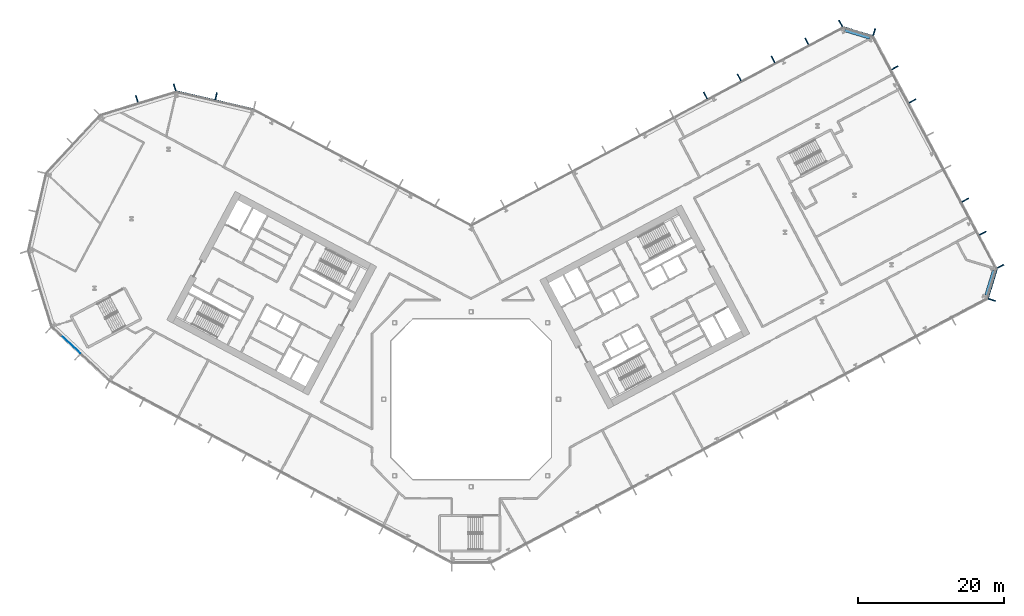
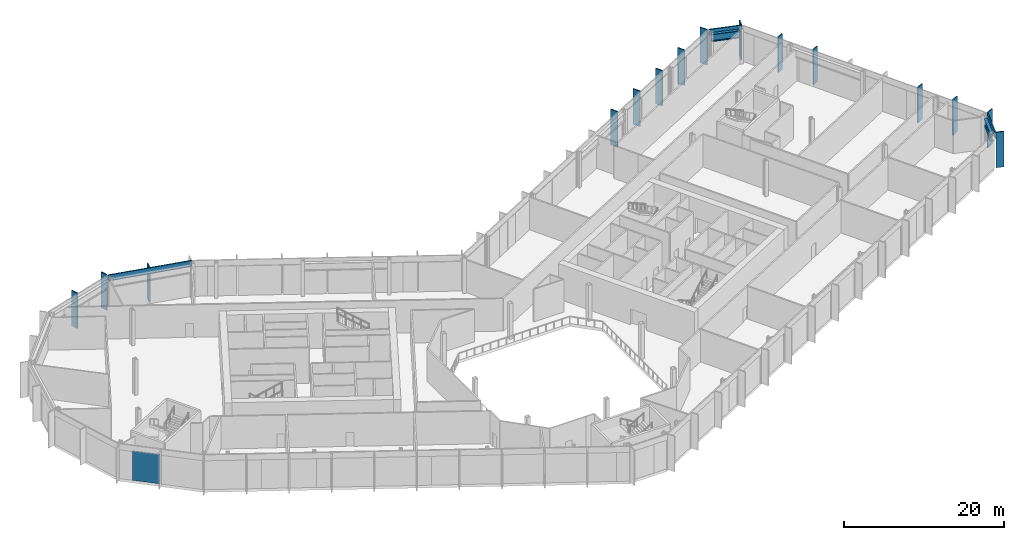
# One storey, part 8 of 32: 18 members, 2 beams, 1 plate, 7 elements without a shape of their own.
"""IFC4 building model written with IfcOpenShell, lengths in metres."""

from ifc_helpers import new_model, si_unit, direction, frame, origin, origin_2d, place, context, subcontext, project, spatial, rectangle, i_section, extrude, material, layer, layer_set, material_profile, profile_set, type_object, element, aggregate, save


model = new_model("IFC4")

# Units and contexts
model_context = context("Model", 3, precision=1e-05, world=origin(), true_north=direction((0.0, 1.0)))
body_context = subcontext(model_context, "Body", "Model", "MODEL_VIEW")
ifc_project = project(units=[si_unit("LENGTHUNIT", "METRE"), si_unit("AREAUNIT", "SQUARE_METRE"), si_unit("VOLUMEUNIT", "CUBIC_METRE"), si_unit("PLANEANGLEUNIT", "RADIAN"), si_unit("MASSUNIT", "GRAM", prefix="KILO")], contexts=[model_context])

# Site, building, storey
site_placement = place(None, origin())
site = spatial("IfcSite", under=ifc_project, at=site_placement, CompositionType="ELEMENT")
building_placement = place(site_placement, origin())
building = spatial("IfcBuilding", under=site, at=building_placement, Name="Cormorant Relay Tower", CompositionType="ELEMENT")
storey_placement = place(building_placement, frame((0.0, 0.0, 39.199951171875)))
storey = spatial("IfcBuildingStorey", under=building, at=storey_placement, Name="L07", CompositionType="ELEMENT", Elevation=39.199951171875)

# Curtain wall, member
ifc_material_1 = material(Name="Aluminium 6063-T6 anodised bronze", Category="aluminium")
ifc_layer_1 = layer(ifc_material_1, 0.235107421875)
ifc_layer_set_1 = layer_set([ifc_layer_1], Name="CW6 data hall curtain wall with mineral wool panels")
curtain_wall_type = type_object("IfcCurtainWallType", Name="CW6 data hall curtain wall with mineral wool panels", PredefinedType="NOTDEFINED", material=ifc_layer_set_1)
curtain_wall_1_placement = place(storey_placement, origin())
curtain_wall_1 = element("IfcCurtainWall", 1, at=curtain_wall_1_placement, inside=storey, type_object=curtain_wall_type, Name="CW6 curtain wall 3", PredefinedType="NOTDEFINED")
ifc_material_2 = material(Name="Aluminium 6063-T6 anodised bronze", Category="aluminium")
ifc_material_profile_1 = material_profile(ifc_material_2, rectangle(XDim=0.14990234375, YDim=1.0, at=origin_2d()), Name="AL 150x1000")
ifc_profile_set_1 = profile_set([ifc_material_profile_1], Name="Aluminium 6063-T6 anodised bronze")
member_type_1 = type_object("IfcMemberType", Name="CW6 bronze fin mullion 150 x 1000", PredefinedType="MULLION", material=ifc_profile_set_1)
member_1_placement = place(storey_placement, frame((71.485107421875, 13.63671875, 0.0), z_axis=(0.0, 0.0, 1.0), x_axis=(0.292371704723, 0.956304755963, 0.0)))
member_1 = element("IfcMember", 2, at=member_1_placement, type_object=member_type_1, Name="CW6 fin 3.1", PredefinedType="MULLION", context=body_context, shape_type="SweptSolid", body=[
    extrude(rectangle(XDim=0.14990234375, YDim=1.0, at=origin_2d()), origin(), (0.0, 0.0, 1.0), 5.400146484375),
])

# Curtain wall, members
curtain_wall_2_placement = place(storey_placement, origin())
curtain_wall_2 = element("IfcCurtainWall", 3, at=curtain_wall_2_placement, inside=storey, type_object=curtain_wall_type, Name="CW6 curtain wall 4", PredefinedType="NOTDEFINED")
member_2_placement = place(storey_placement, frame((72.671630859375, 18.25390625, 0.0), z_axis=(0.0, 0.0, 1.0), x_axis=(-0.469471562786, 0.882947592859, 0.0)))
member_2 = element("IfcMember", 4, at=member_2_placement, type_object=member_type_1, Name="CW6 fin 4.1", PredefinedType="MULLION", context=body_context, shape_type="SweptSolid", body=[
    extrude(rectangle(XDim=0.14990234375, YDim=1.0, at=origin_2d()), origin(), (0.0, 0.0, 1.0), 5.400146484375),
])
member_3_placement = place(storey_placement, frame((70.25732421875, 22.794921875, 0.0), z_axis=(0.0, 0.0, 1.0), x_axis=(-0.469471562786, 0.882947592859, 0.0)))
member_3 = element("IfcMember", 5, at=member_3_placement, type_object=member_type_1, Name="CW6 fin 4.2", PredefinedType="MULLION", context=body_context, shape_type="SweptSolid", body=[
    extrude(rectangle(XDim=0.14990234375, YDim=1.0, at=origin_2d()), origin(), (0.0, 0.0, 1.0), 5.400146484375),
])
member_4_placement = place(storey_placement, frame((67.8427734375, 27.335693359375, 0.0), z_axis=(0.0, 0.0, 1.0), x_axis=(-0.469471562786, 0.882947592859, 0.0)))
member_4 = element("IfcMember", 6, at=member_4_placement, type_object=member_type_1, Name="CW6 fin 4.3", PredefinedType="MULLION", context=body_context, shape_type="SweptSolid", body=[
    extrude(rectangle(XDim=0.14990234375, YDim=1.0, at=origin_2d()), origin(), (0.0, 0.0, 1.0), 5.400146484375),
])
member_5_placement = place(storey_placement, frame((60.599609375, 40.958251953125, 0.0), z_axis=(0.0, 0.0, 1.0), x_axis=(-0.469471562786, 0.882947592859, 0.0)))
member_5 = element("IfcMember", 7, at=member_5_placement, type_object=member_type_1, Name="CW6 fin 4.6", PredefinedType="MULLION", context=body_context, shape_type="SweptSolid", body=[
    extrude(rectangle(XDim=0.14990234375, YDim=1.0, at=origin_2d()), origin(), (0.0, 0.0, 1.0), 5.400146484375),
])
member_6_placement = place(storey_placement, frame((58.18505859375, 45.499267578125, 0.0), z_axis=(0.0, 0.0, 1.0), x_axis=(-0.469471562786, 0.882947592859, 0.0)))
member_6 = element("IfcMember", 8, at=member_6_placement, type_object=member_type_1, Name="CW6 fin 4.7", PredefinedType="MULLION", context=body_context, shape_type="SweptSolid", body=[
    extrude(rectangle(XDim=0.14990234375, YDim=1.0, at=origin_2d()), origin(), (0.0, 0.0, 1.0), 5.400146484375),
])
aggregate(curtain_wall_2, [member_2, member_3, member_4, member_5, member_6])

# Curtain wall, member
curtain_wall_3_placement = place(storey_placement, origin())
curtain_wall_3 = element("IfcCurtainWall", 9, at=curtain_wall_3_placement, inside=storey, type_object=curtain_wall_type, Name="CW6 curtain wall 5", PredefinedType="NOTDEFINED")
member_7_placement = place(storey_placement, frame((55.336669921875, 50.39794921875, 0.0), z_axis=(0.0, 0.0, 1.0), x_axis=(-0.956304755963, 0.292371704723, 0.0)))
member_7 = element("IfcMember", 10, at=member_7_placement, type_object=member_type_1, Name="CW6 fin 5.1", PredefinedType="MULLION", context=body_context, shape_type="SweptSolid", body=[
    extrude(rectangle(XDim=0.14990234375, YDim=1.0, at=origin_2d()), origin(), (0.0, 0.0, 1.0), 5.400146484375),
])

# Curtain wall, members
curtain_wall_4_placement = place(storey_placement, origin())
curtain_wall_4 = element("IfcCurtainWall", 11, at=curtain_wall_4_placement, inside=storey, type_object=curtain_wall_type, Name="CW6 curtain wall 6", PredefinedType="NOTDEFINED")
member_8_placement = place(storey_placement, frame((50.719482421875, 51.58447265625, 0.0), z_axis=(0.0, 0.0, 1.0), x_axis=(-0.882947592859, -0.469471562786, 0.0)))
member_8 = element("IfcMember", 12, at=member_8_placement, type_object=member_type_1, Name="CW6 fin 6.1", PredefinedType="MULLION", context=body_context, shape_type="SweptSolid", body=[
    extrude(rectangle(XDim=0.14990234375, YDim=1.0, at=origin_2d()), origin(), (0.0, 0.0, 1.0), 5.400146484375),
])
member_9_placement = place(storey_placement, frame((46.0771484375, 49.1162109375, 0.0), z_axis=(0.0, 0.0, 1.0), x_axis=(-0.882947592859, -0.469471562786, 0.0)))
member_9 = element("IfcMember", 13, at=member_9_placement, type_object=member_type_1, Name="CW6 fin 6.2", PredefinedType="MULLION", context=body_context, shape_type="SweptSolid", body=[
    extrude(rectangle(XDim=0.14990234375, YDim=1.0, at=origin_2d()), origin(), (0.0, 0.0, 1.0), 5.400146484375),
])
member_10_placement = place(storey_placement, frame((41.43505859375, 46.647705078125, 0.0), z_axis=(0.0, 0.0, 1.0), x_axis=(-0.882947592859, -0.469471562786, 0.0)))
member_10 = element("IfcMember", 14, at=member_10_placement, type_object=member_type_1, Name="CW6 fin 6.3", PredefinedType="MULLION", context=body_context, shape_type="SweptSolid", body=[
    extrude(rectangle(XDim=0.14990234375, YDim=1.0, at=origin_2d()), origin(), (0.0, 0.0, 1.0), 5.400146484375),
])
member_11_placement = place(storey_placement, frame((36.792724609375, 44.179443359375, 0.0), z_axis=(0.0, 0.0, 1.0), x_axis=(-0.882947592859, -0.469471562786, 0.0)))
member_11 = element("IfcMember", 15, at=member_11_placement, type_object=member_type_1, Name="CW6 fin 6.4", PredefinedType="MULLION", context=body_context, shape_type="SweptSolid", body=[
    extrude(rectangle(XDim=0.14990234375, YDim=1.0, at=origin_2d()), origin(), (0.0, 0.0, 1.0), 5.400146484375),
])
member_12_placement = place(storey_placement, frame((32.150390625, 41.711181640625, 0.0), z_axis=(0.0, 0.0, 1.0), x_axis=(-0.882947592859, -0.469471562786, 0.0)))
member_12 = element("IfcMember", 16, at=member_12_placement, type_object=member_type_1, Name="CW6 fin 6.5", PredefinedType="MULLION", context=body_context, shape_type="SweptSolid", body=[
    extrude(rectangle(XDim=0.14990234375, YDim=1.0, at=origin_2d()), origin(), (0.0, 0.0, 1.0), 5.400146484375),
])
aggregate(curtain_wall_4, [member_8, member_9, member_10, member_11, member_12])

# Curtain wall, member
curtain_wall_5_placement = place(storey_placement, origin())
curtain_wall_5 = element("IfcCurtainWall", 17, at=curtain_wall_5_placement, inside=storey, type_object=curtain_wall_type, Name="CW6 curtain wall 8", PredefinedType="NOTDEFINED")
member_13_placement = place(storey_placement, frame((-35.00439453125, 41.60693359375, 0.0), z_axis=(0.0, 0.0, 1.0), x_axis=(-0.974370064785, 0.224951054344, 0.0)))
member_13 = element("IfcMember", 18, at=member_13_placement, type_object=member_type_1, Name="CW6 fin 8.2", PredefinedType="MULLION", context=body_context, shape_type="SweptSolid", body=[
    extrude(rectangle(XDim=0.14990234375, YDim=1.0, at=origin_2d()), origin(), (0.0, 0.0, 1.0), 5.400146484375),
])

# Curtain wall, members
curtain_wall_6_placement = place(storey_placement, origin())
curtain_wall_6 = element("IfcCurtainWall", 19, at=curtain_wall_6_placement, inside=storey, type_object=curtain_wall_type, Name="CW6 curtain wall 9", PredefinedType="NOTDEFINED")
member_14_placement = place(storey_placement, frame((-40.680419921875, 42.81640625, 0.0), z_axis=(0.0, 0.0, 1.0), x_axis=(-0.956304755963, -0.292371704723, 0.0)))
member_14 = element("IfcMember", 20, at=member_14_placement, type_object=member_type_1, Name="CW6 fin 9.1", PredefinedType="MULLION", context=body_context, shape_type="SweptSolid", body=[
    extrude(rectangle(XDim=0.14990234375, YDim=1.0, at=origin_2d()), origin(), (0.0, 0.0, 1.0), 5.400146484375),
])
member_15_placement = place(storey_placement, frame((-45.878173828125, 41.227294921875, 0.0), z_axis=(0.0, 0.0, 1.0), x_axis=(-0.956304755963, -0.292371704723, 0.0)))
member_15 = element("IfcMember", 21, at=member_15_placement, type_object=member_type_1, Name="CW6 fin 9.2", PredefinedType="MULLION", context=body_context, shape_type="SweptSolid", body=[
    extrude(rectangle(XDim=0.14990234375, YDim=1.0, at=origin_2d()), origin(), (0.0, 0.0, 1.0), 5.400146484375),
])
aggregate(curtain_wall_6, [member_14, member_15])

# Member
ifc_material_3 = material(Name="Aluminium 6063-T6 anodised bronze", Category="aluminium")
ifc_material_profile_2 = material_profile(ifc_material_3, rectangle(XDim=0.159912109375, YDim=0.89990234375, at=origin_2d()), Name="AL 160x900")
ifc_profile_set_2 = profile_set([ifc_material_profile_2], Name="Aluminium 6063-T6 anodised bronze")
member_type_2 = type_object("IfcMemberType", Name="CW6 bronze transom 160 x 900", PredefinedType="USERDEFINED", material=ifc_profile_set_2)
member_16_placement = place(storey_placement, frame((70.930419921875, 13.806396484375, 4.949951171875), z_axis=(0.292391046905, 0.95629884225, 0.0), x_axis=(-0.95629884225, 0.292391046905, 0.0)))
member_16 = element("IfcMember", 22, at=member_16_placement, type_object=member_type_2, Name="CW6 transom 3", ObjectType="TRANSOM", PredefinedType="USERDEFINED", context=body_context, shape_type="SweptSolid", body=[
    extrude(rectangle(XDim=0.159912109375, YDim=0.89990234375, at=origin_2d()), origin(), (0.0, 0.0, 1.0), 4.242431640625),
])

aggregate(curtain_wall_1, [member_1, member_16])

member_17_placement = place(storey_placement, frame((55.1669921875, 49.84326171875, 4.949951171875), z_axis=(-0.95629884225, 0.292391046905, 0.0), x_axis=(-0.292391046905, -0.95629884225, 0.0)))
member_17 = element("IfcMember", 23, at=member_17_placement, type_object=member_type_2, Name="CW6 transom 5", ObjectType="TRANSOM", PredefinedType="USERDEFINED", context=body_context, shape_type="SweptSolid", body=[
    extrude(rectangle(XDim=0.159912109375, YDim=0.89990234375, at=origin_2d()), origin(), (0.0, 0.0, 1.0), 4.242431640625),
])

aggregate(curtain_wall_3, [member_7, member_17])

member_18_placement = place(storey_placement, frame((-29.8388671875, 39.819091796875, 4.949951171875), z_axis=(-0.974369993916, 0.22495136131, 0.0), x_axis=(-0.22495136131, -0.974369993916, 0.0)))
member_18 = element("IfcMember", 24, at=member_18_placement, type_object=member_type_2, Name="CW6 transom 8", ObjectType="TRANSOM", PredefinedType="USERDEFINED", context=body_context, shape_type="SweptSolid", body=[
    extrude(rectangle(XDim=0.159912109375, YDim=0.89990234375, at=origin_2d()), origin(), (0.0, 0.0, 1.0), 10.870361328125),
])

aggregate(curtain_wall_5, [member_13, member_18])

# Beams
ifc_material_4 = material(Name="Steel ASTM A992 (Fy 345 MPa)", Category="steel")
ifc_material_profile_3 = material_profile(ifc_material_4, i_section(OverallWidth=0.408935546875, OverallDepth=1.137939453125, WebThickness=0.031005859375, FlangeThickness=0.05517578125, FilletRadius=0.02001953125, at=origin_2d()), Name="W1100x607")
ifc_profile_set_3 = profile_set([ifc_material_profile_3], Name="Steel ASTM A992 (Fy 345 MPa)")
beam_type = type_object("IfcBeamType", Name="Spandrel W1100x607", PredefinedType="SPANDREL", material=ifc_profile_set_3)
beam_1_placement = place(storey_placement, frame((70.697998046875, 14.275390625, 4.381103515625), z_axis=(0.292400100269, 0.956296074112, 0.0), x_axis=(-0.956296074112, 0.292400100269, 0.0)))
element("IfcBeam", 25, at=beam_1_placement, inside=storey, type_object=beam_type, Name="Spandrel beam L07-003", PredefinedType="SPANDREL", context=body_context, shape_type="SweptSolid", body=[
    extrude(i_section(OverallWidth=0.408935546875, OverallDepth=1.137939453125, WebThickness=0.031005859375, FlangeThickness=0.05517578125, FilletRadius=0.02001953125, at=origin_2d()), origin(), (0.0, 0.0, 1.0), 3.552734375),
])
beam_2_placement = place(storey_placement, frame((54.697998046875, 49.61083984375, 4.381103515625), z_axis=(-0.956309414252, 0.292356467713, 0.0), x_axis=(-0.292356467713, -0.956309414252, 0.0)))
element("IfcBeam", 26, at=beam_2_placement, inside=storey, type_object=beam_type, Name="Spandrel beam L07-005", PredefinedType="SPANDREL", context=body_context, shape_type="SweptSolid", body=[
    extrude(i_section(OverallWidth=0.408935546875, OverallDepth=1.137939453125, WebThickness=0.031005859375, FlangeThickness=0.05517578125, FilletRadius=0.02001953125, at=origin_2d()), origin(), (0.0, 0.0, 1.0), 3.552490234375),
])

# Curtain wall, plate
curtain_wall_7_placement = place(storey_placement, origin())
curtain_wall_7 = element("IfcCurtainWall", 27, at=curtain_wall_7_placement, inside=storey, type_object=curtain_wall_type, Name="CW6 curtain wall 13", PredefinedType="NOTDEFINED")
ifc_material_5 = material(Name="Tinted triple-glazed laminated unit")
ifc_layer_2 = layer(ifc_material_5, 0.074951171875)
ifc_layer_set_2 = layer_set([ifc_layer_2], Name="CW6 triple-glazed vision unit 3600 module")
plate_type = type_object("IfcPlateType", Name="CW6 triple-glazed vision unit 3600 module", PredefinedType="CURTAIN_PANEL", material=ifc_layer_set_2)
plate_placement = place(storey_placement, frame((-54.96337890625, 7.54248046875, 0.0), z_axis=(0.0, 0.0, 1.0), x_axis=(0.731353701619, -0.681998360062, 0.0)))
plate = element("IfcPlate", 28, at=plate_placement, type_object=plate_type, Name="CW6 panel V01", PredefinedType="CURTAIN_PANEL", context=body_context, shape_type="SweptSolid", body=[
    extrude(rectangle(XDim=3.60009765625, YDim=0.074951171875, at=origin_2d()), origin(), (0.0, 0.0, 1.0), 4.5),
])
aggregate(curtain_wall_7, [plate])

save(model, "model.ifc")
